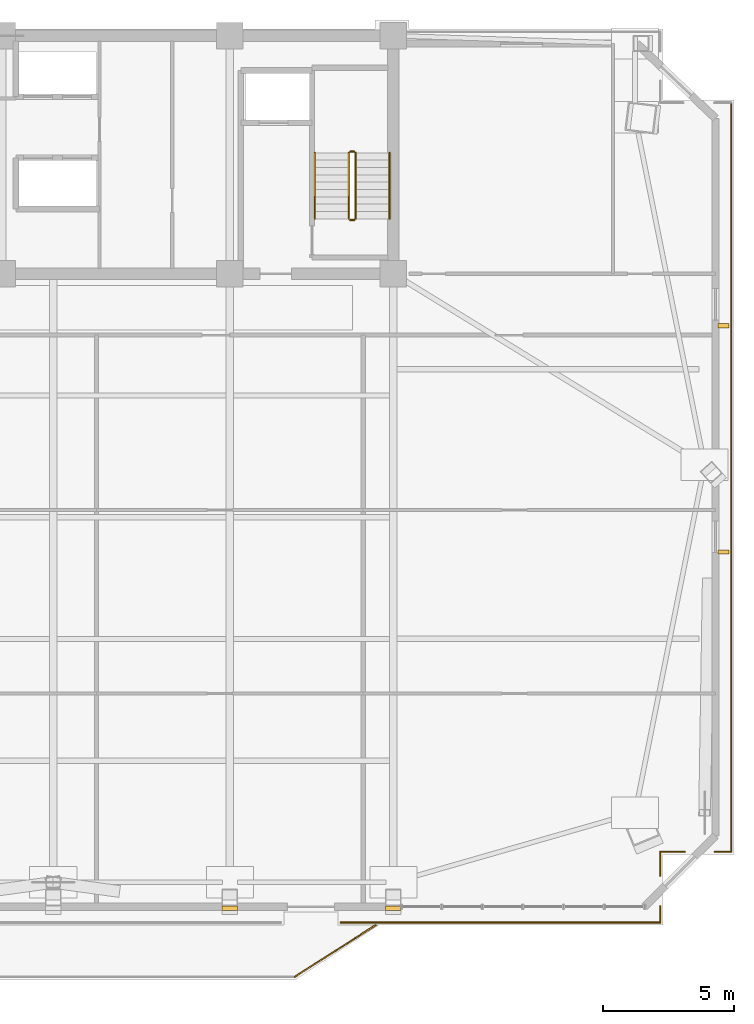
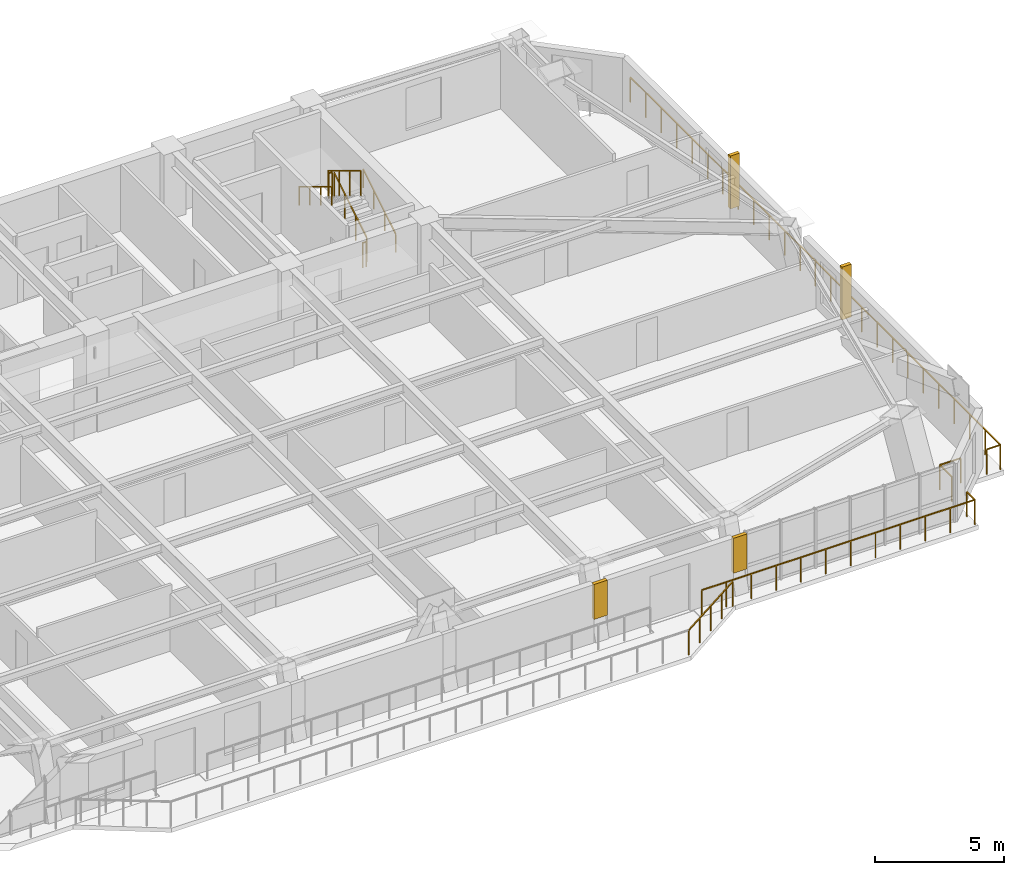
# One storey, part 15 of 16: 13 railings, 2 coverings, 2 shading devices.
"""IFC4 building model written with IfcOpenShell, lengths in metres."""

from ifc_helpers import new_model, si_unit, direction, frame, origin, origin_2d, place, context, subcontext, project, spatial, polyline, rectangle, outline, extrude, source, transform, mapped, material, layer, layer_set, type_object, element, save


model = new_model("IFC4")

# Units and contexts
model_context = context("Model", 3, precision=1e-05, world=origin(), true_north=direction((0.0, 1.0)))
body_context = subcontext(model_context, "Body", "Model", "MODEL_VIEW")
ifc_project = project(units=[si_unit("LENGTHUNIT", "METRE"), si_unit("AREAUNIT", "SQUARE_METRE"), si_unit("VOLUMEUNIT", "CUBIC_METRE"), si_unit("PLANEANGLEUNIT", "RADIAN"), si_unit("MASSUNIT", "GRAM", prefix="KILO")], contexts=[model_context])

# Site, building, storey
site_placement = place(None, origin())
site = spatial("IfcSite", under=ifc_project, at=site_placement, CompositionType="ELEMENT")
building_placement = place(site_placement, origin())
building = spatial("IfcBuilding", under=site, at=building_placement, Name="Giltprow Tower", CompositionType="ELEMENT")
storey_placement = place(building_placement, frame((0.0, 0.0, 233.800048828125)))
storey = spatial("IfcBuildingStorey", under=building, at=storey_placement, Name="L59", CompositionType="ELEMENT", Elevation=233.800048828125)

# Coverings
ifc_material = material(Name="Anodized bronze", Category="metal")
ifc_layer = layer(ifc_material, 0.0400390625, Name="Anodized bronze")
ifc_layer_set = layer_set([ifc_layer], Name="Anodized bronze")
covering_type = type_object("IfcCoveringType", Name="COV-SOFFIT-BRONZE", PredefinedType="CLADDING", material=ifc_layer_set)
covering_1_placement = place(storey_placement, frame((0.0, 0.0, 1.099853515625)))
element("IfcCovering", 1, at=covering_1_placement, inside=storey, type_object=covering_type, Name="L59 Setback Pier Closure Cladding S-4", PredefinedType="CLADDING", context=body_context, shape_type="SweptSolid", body=[
    extrude(outline(polyline([(44.0, 13.110107421875), (44.60009765625, 13.110107421875), (44.60009765625, 13.27001953125), (44.0, 13.27001953125), (44.0, 13.110107421875)])), origin(), (0.0, 0.0, 1.0), 1.650146484375),
])
covering_2_placement = place(storey_placement, frame((0.0, 0.0, 1.099853515625)))
element("IfcCovering", 2, at=covering_2_placement, inside=storey, type_object=covering_type, Name="L59 Setback Pier Closure Cladding S-5", PredefinedType="CLADDING", context=body_context, shape_type="SweptSolid", body=[
    extrude(outline(polyline([(50.25, 13.110107421875), (50.85009765625, 13.110107421875), (50.85009765625, 13.27001953125), (50.25, 13.27001953125), (50.25, 13.110107421875)])), origin(), (0.0, 0.0, 1.0), 1.650146484375),
])

# Railings
railing_type_1 = type_object("IfcRailingType", Name="RAIL-BALC-GUARD-1200", PredefinedType="BALUSTRADE", material=ifc_material)
railing_1_placement = place(storey_placement, frame((46.780029296875, 10.570068359375, 0.0)))
element("IfcRailing", 3, at=railing_1_placement, inside=storey, type_object=railing_type_1, Name="L59 Waterfront Balcony Balustrade Seg 3", PredefinedType="BALUSTRADE", context=body_context, shape_type="SweptSolid", body=[
    extrude(rectangle(XDim=0.048095703125, YDim=0.048095703125, at=origin_2d()), frame((0.0, 0.0, 1.17578125), z_axis=(0.842755646126, 0.538296313309, 0.0), x_axis=(-0.538296313309, 0.842755646126, 0.0)), (0.0, 0.0, 1.0), 3.67822265625),
    extrude(rectangle(XDim=0.0419921875, YDim=0.0419921875, at=origin_2d()), origin(), (0.0, 0.0, 1.0), 1.15185546875),
    extrude(rectangle(XDim=0.0419921875, YDim=0.0419921875, at=origin_2d()), frame((0.77490234375, 0.4951171875, 0.0)), (0.0, 0.0, 1.0), 1.15185546875),
    extrude(rectangle(XDim=0.0419921875, YDim=0.0419921875, at=origin_2d()), frame((1.5498046875, 0.989990234375, 0.0)), (0.0, 0.0, 1.0), 1.15185546875),
    extrude(rectangle(XDim=0.0419921875, YDim=0.0419921875, at=origin_2d()), frame((2.324951171875, 1.48486328125, 0.0)), (0.0, 0.0, 1.0), 1.15185546875),
    extrude(rectangle(XDim=0.0419921875, YDim=0.0419921875, at=origin_2d()), frame((3.099853515625, 1.97998046875, 0.0)), (0.0, 0.0, 1.0), 1.15185546875),
])
railing_2_placement = place(storey_placement, frame((63.467041015625, 43.992919921875, 0.0)))
element("IfcRailing", 4, at=railing_2_placement, inside=storey, type_object=railing_type_1, Name="L59 Corner Apron Edge Balustrade 1", PredefinedType="BALUSTRADE", context=body_context, shape_type="SweptSolid", body=[
    extrude(rectangle(XDim=0.048095703125, YDim=0.048095703125, at=origin_2d()), frame((0.0, 0.0, 1.17578125), z_axis=(0.0, -1.0, 0.0), x_axis=(1.0, 0.0, 0.0)), (0.0, 0.0, 1.0), 28.635986328125),
    extrude(rectangle(XDim=0.0419921875, YDim=0.0419921875, at=origin_2d()), origin(), (0.0, 0.0, 1.0), 1.15185546875),
    extrude(rectangle(XDim=0.0419921875, YDim=0.0419921875, at=origin_2d()), frame((0.0, -1.193115234375, 0.0)), (0.0, 0.0, 1.0), 1.15185546875),
    extrude(rectangle(XDim=0.0419921875, YDim=0.0419921875, at=origin_2d()), frame((0.0, -2.38623046875, 0.0)), (0.0, 0.0, 1.0), 1.15185546875),
    extrude(rectangle(XDim=0.0419921875, YDim=0.0419921875, at=origin_2d()), frame((0.0, -3.57958984375, 0.0)), (0.0, 0.0, 1.0), 1.15185546875),
    extrude(rectangle(XDim=0.0419921875, YDim=0.0419921875, at=origin_2d()), frame((0.0, -4.772705078125, 0.0)), (0.0, 0.0, 1.0), 1.15185546875),
    extrude(rectangle(XDim=0.0419921875, YDim=0.0419921875, at=origin_2d()), frame((0.0, -5.9658203125, 0.0)), (0.0, 0.0, 1.0), 1.15185546875),
    extrude(rectangle(XDim=0.0419921875, YDim=0.0419921875, at=origin_2d()), frame((0.0, -7.158935546875, 0.0)), (0.0, 0.0, 1.0), 1.15185546875),
    extrude(rectangle(XDim=0.0419921875, YDim=0.0419921875, at=origin_2d()), frame((0.0, -8.35205078125, 0.0)), (0.0, 0.0, 1.0), 1.15185546875),
    extrude(rectangle(XDim=0.0419921875, YDim=0.0419921875, at=origin_2d()), frame((0.0, -9.54541015625, 0.0)), (0.0, 0.0, 1.0), 1.15185546875),
    extrude(rectangle(XDim=0.0419921875, YDim=0.0419921875, at=origin_2d()), frame((0.0, -10.738525390625, 0.0)), (0.0, 0.0, 1.0), 1.15185546875),
    extrude(rectangle(XDim=0.0419921875, YDim=0.0419921875, at=origin_2d()), frame((0.0, -11.931640625, 0.0)), (0.0, 0.0, 1.0), 1.15185546875),
    extrude(rectangle(XDim=0.0419921875, YDim=0.0419921875, at=origin_2d()), frame((0.0, -13.124755859375, 0.0)), (0.0, 0.0, 1.0), 1.15185546875),
    extrude(rectangle(XDim=0.0419921875, YDim=0.0419921875, at=origin_2d()), frame((0.0, -14.31787109375, 0.0)), (0.0, 0.0, 1.0), 1.15185546875),
    extrude(rectangle(XDim=0.0419921875, YDim=0.0419921875, at=origin_2d()), frame((0.0, -15.51123046875, 0.0)), (0.0, 0.0, 1.0), 1.15185546875),
    extrude(rectangle(XDim=0.0419921875, YDim=0.0419921875, at=origin_2d()), frame((0.0, -16.704345703125, 0.0)), (0.0, 0.0, 1.0), 1.15185546875),
    extrude(rectangle(XDim=0.0419921875, YDim=0.0419921875, at=origin_2d()), frame((0.0, -17.8974609375, 0.0)), (0.0, 0.0, 1.0), 1.15185546875),
    extrude(rectangle(XDim=0.0419921875, YDim=0.0419921875, at=origin_2d()), frame((0.0, -19.090576171875, 0.0)), (0.0, 0.0, 1.0), 1.15185546875),
    extrude(rectangle(XDim=0.0419921875, YDim=0.0419921875, at=origin_2d()), frame((0.0, -20.283935546875, 0.0)), (0.0, 0.0, 1.0), 1.15185546875),
    extrude(rectangle(XDim=0.0419921875, YDim=0.0419921875, at=origin_2d()), frame((0.0, -21.47705078125, 0.0)), (0.0, 0.0, 1.0), 1.15185546875),
    extrude(rectangle(XDim=0.0419921875, YDim=0.0419921875, at=origin_2d()), frame((0.0, -22.670166015625, 0.0)), (0.0, 0.0, 1.0), 1.15185546875),
    extrude(rectangle(XDim=0.0419921875, YDim=0.0419921875, at=origin_2d()), frame((0.0, -23.86328125, 0.0)), (0.0, 0.0, 1.0), 1.15185546875),
    extrude(rectangle(XDim=0.0419921875, YDim=0.0419921875, at=origin_2d()), frame((0.0, -25.056396484375, 0.0)), (0.0, 0.0, 1.0), 1.15185546875),
    extrude(rectangle(XDim=0.0419921875, YDim=0.0419921875, at=origin_2d()), frame((0.0, -26.249755859375, 0.0)), (0.0, 0.0, 1.0), 1.15185546875),
    extrude(rectangle(XDim=0.0419921875, YDim=0.0419921875, at=origin_2d()), frame((0.0, -27.44287109375, 0.0)), (0.0, 0.0, 1.0), 1.15185546875),
    extrude(rectangle(XDim=0.0419921875, YDim=0.0419921875, at=origin_2d()), frame((0.0, -28.635986328125, 0.0)), (0.0, 0.0, 1.0), 1.15185546875),
])
railing_3_placement = place(storey_placement, frame((63.467041015625, 15.35693359375, 0.0)))
element("IfcRailing", 5, at=railing_3_placement, inside=storey, type_object=railing_type_1, Name="L59 Corner Apron Edge Balustrade 2", PredefinedType="BALUSTRADE", context=body_context, shape_type="SweptSolid", body=[
    extrude(rectangle(XDim=0.048095703125, YDim=0.048095703125, at=origin_2d()), frame((0.0, 0.0, 1.17578125), z_axis=(-1.0, 0.0, 0.0), x_axis=(0.0, -1.0, 0.0)), (0.0, 0.0, 1.0), 0.6201171875),
    extrude(rectangle(XDim=0.0419921875, YDim=0.0419921875, at=origin_2d()), origin(), (0.0, 0.0, 1.0), 1.15185546875),
    extrude(rectangle(XDim=0.0419921875, YDim=0.0419921875, at=origin_2d()), frame((-0.6201171875, 0.0, 0.0)), (0.0, 0.0, 1.0), 1.15185546875),
])
railing_4_placement = place(storey_placement, frame((61.68701171875, 15.35693359375, 0.0)))
element("IfcRailing", 6, at=railing_4_placement, inside=storey, type_object=railing_type_1, Name="L59 Corner Apron Edge Balustrade 3", PredefinedType="BALUSTRADE", context=body_context, shape_type="SweptSolid", body=[
    extrude(rectangle(XDim=0.048095703125, YDim=0.048095703125, at=origin_2d()), frame((0.0, 0.0, 1.17578125), z_axis=(-1.0, 0.0, 0.0), x_axis=(0.0, -1.0, 0.0)), (0.0, 0.0, 1.0), 0.927001953125),
    extrude(rectangle(XDim=0.0419921875, YDim=0.0419921875, at=origin_2d()), origin(), (0.0, 0.0, 1.0), 1.15185546875),
    extrude(rectangle(XDim=0.0419921875, YDim=0.0419921875, at=origin_2d()), frame((-0.927001953125, 0.0, 0.0)), (0.0, 0.0, 1.0), 1.15185546875),
])
railing_5_placement = place(storey_placement, frame((60.760009765625, 15.35693359375, 0.0)))
element("IfcRailing", 7, at=railing_5_placement, inside=storey, type_object=railing_type_1, Name="L59 Corner Apron Edge Balustrade 4", PredefinedType="BALUSTRADE", context=body_context, shape_type="SweptSolid", body=[
    extrude(rectangle(XDim=0.048095703125, YDim=0.048095703125, at=origin_2d()), frame((0.0, 0.0, 1.17578125), z_axis=(0.0, -1.0, 0.0), x_axis=(1.0, 0.0, 0.0)), (0.0, 0.0, 1.0), 0.927001953125),
    extrude(rectangle(XDim=0.0419921875, YDim=0.0419921875, at=origin_2d()), origin(), (0.0, 0.0, 1.0), 1.15185546875),
    extrude(rectangle(XDim=0.0419921875, YDim=0.0419921875, at=origin_2d()), frame((0.0, -0.927001953125, 0.0)), (0.0, 0.0, 1.0), 1.15185546875),
])
railing_6_placement = place(storey_placement, frame((60.760009765625, 13.27001953125, 0.0)))
element("IfcRailing", 8, at=railing_6_placement, inside=storey, type_object=railing_type_1, Name="L59 Corner Apron Edge Balustrade 5", PredefinedType="BALUSTRADE", context=body_context, shape_type="SweptSolid", body=[
    extrude(rectangle(XDim=0.048095703125, YDim=0.048095703125, at=origin_2d()), frame((0.0, 0.0, 1.17578125), z_axis=(0.0, -1.0, 0.0), x_axis=(1.0, 0.0, 0.0)), (0.0, 0.0, 1.0), 0.6201171875),
    extrude(rectangle(XDim=0.0419921875, YDim=0.0419921875, at=origin_2d()), origin(), (0.0, 0.0, 1.0), 1.15185546875),
    extrude(rectangle(XDim=0.0419921875, YDim=0.0419921875, at=origin_2d()), frame((0.0, -0.6201171875, 0.0)), (0.0, 0.0, 1.0), 1.15185546875),
])
railing_7_placement = place(storey_placement, frame((60.760009765625, 12.64990234375, 0.0)))
element("IfcRailing", 9, at=railing_7_placement, inside=storey, type_object=railing_type_1, Name="L59 Corner Apron Edge Balustrade 6", PredefinedType="BALUSTRADE", context=body_context, shape_type="SweptSolid", body=[
    extrude(rectangle(XDim=0.048095703125, YDim=0.048095703125, at=origin_2d()), frame((0.0, 0.0, 1.17578125), z_axis=(-1.0, 0.0, 0.0), x_axis=(0.0, -1.0, 0.0)), (0.0, 0.0, 1.0), 12.2099609375),
    extrude(rectangle(XDim=0.0419921875, YDim=0.0419921875, at=origin_2d()), origin(), (0.0, 0.0, 1.0), 1.15185546875),
    extrude(rectangle(XDim=0.0419921875, YDim=0.0419921875, at=origin_2d()), frame((-1.110107421875, 0.0, 0.0)), (0.0, 0.0, 1.0), 1.15185546875),
    extrude(rectangle(XDim=0.0419921875, YDim=0.0419921875, at=origin_2d()), frame((-2.219970703125, 0.0, 0.0)), (0.0, 0.0, 1.0), 1.15185546875),
    extrude(rectangle(XDim=0.0419921875, YDim=0.0419921875, at=origin_2d()), frame((-3.330078125, 0.0, 0.0)), (0.0, 0.0, 1.0), 1.15185546875),
    extrude(rectangle(XDim=0.0419921875, YDim=0.0419921875, at=origin_2d()), frame((-4.43994140625, 0.0, 0.0)), (0.0, 0.0, 1.0), 1.15185546875),
    extrude(rectangle(XDim=0.0419921875, YDim=0.0419921875, at=origin_2d()), frame((-5.550048828125, 0.0, 0.0)), (0.0, 0.0, 1.0), 1.15185546875),
    extrude(rectangle(XDim=0.0419921875, YDim=0.0419921875, at=origin_2d()), frame((-6.659912109375, 0.0, 0.0)), (0.0, 0.0, 1.0), 1.15185546875),
    extrude(rectangle(XDim=0.0419921875, YDim=0.0419921875, at=origin_2d()), frame((-7.77001953125, 0.0, 0.0)), (0.0, 0.0, 1.0), 1.15185546875),
    extrude(rectangle(XDim=0.0419921875, YDim=0.0419921875, at=origin_2d()), frame((-8.8798828125, 0.0, 0.0)), (0.0, 0.0, 1.0), 1.15185546875),
    extrude(rectangle(XDim=0.0419921875, YDim=0.0419921875, at=origin_2d()), frame((-9.989990234375, 0.0, 0.0)), (0.0, 0.0, 1.0), 1.15185546875),
    extrude(rectangle(XDim=0.0419921875, YDim=0.0419921875, at=origin_2d()), frame((-11.099853515625, 0.0, 0.0)), (0.0, 0.0, 1.0), 1.15185546875),
    extrude(rectangle(XDim=0.0419921875, YDim=0.0419921875, at=origin_2d()), frame((-12.2099609375, 0.0, 0.0)), (0.0, 0.0, 1.0), 1.15185546875),
])
railing_type_2 = type_object("IfcRailingType", Name="RAIL-STAIR-GUARD-1200", PredefinedType="GUARDRAIL", material=ifc_material)
railing_8_placement = place(storey_placement, frame((49.110107421875, 39.550048828125, 0.169921875)))
element("IfcRailing", 10, at=railing_8_placement, inside=storey, type_object=railing_type_2, Name="L59 ST-3 stair guard 1", PredefinedType="GUARDRAIL", context=body_context, shape_type="SweptSolid", body=[
    extrude(rectangle(XDim=0.048095703125, YDim=0.048095703125, at=origin_2d()), frame((0.0, 0.0, 1.17578125), z_axis=(0.0, 0.85478489116, 0.518982456201), x_axis=(-1.0, 0.0, 0.0)), (0.0, 0.0, 1.0), 2.9482421875),
    extrude(rectangle(XDim=0.0419921875, YDim=0.0419921875, at=origin_2d()), origin(), (0.0, 0.0, 1.0), 1.15185546875),
    extrude(rectangle(XDim=0.0419921875, YDim=0.0419921875, at=origin_2d()), frame((0.0, 0.840087890625, 0.510009765625)), (0.0, 0.0, 1.0), 1.15185546875),
    extrude(rectangle(XDim=0.0419921875, YDim=0.0419921875, at=origin_2d()), frame((0.0, 1.679931640625, 1.02001953125)), (0.0, 0.0, 1.0), 1.15185546875),
    extrude(rectangle(XDim=0.0419921875, YDim=0.0419921875, at=origin_2d()), frame((0.0, 2.52001953125, 1.530029296875)), (0.0, 0.0, 1.0), 1.15185546875),
])
railing_9_placement = place(storey_placement, frame((49.06005859375, 42.1201171875, 1.699951171875)))
element("IfcRailing", 11, at=railing_9_placement, inside=storey, type_object=railing_type_2, Name="L59 ST-3 stair guard 2", PredefinedType="GUARDRAIL", context=body_context, shape_type="SweptSolid", body=[
    extrude(rectangle(XDim=0.048095703125, YDim=0.048095703125, at=origin_2d()), frame((0.0, 0.0, 1.17578125), z_axis=(-1.0, 0.0, 0.0), x_axis=(0.0, -1.0, 0.0)), (0.0, 0.0, 1.0), 0.16015625),
    extrude(rectangle(XDim=0.0419921875, YDim=0.0419921875, at=origin_2d()), origin(), (0.0, 0.0, 1.0), 1.15185546875),
    extrude(rectangle(XDim=0.0419921875, YDim=0.0419921875, at=origin_2d()), frame((-0.16015625, 0.0, 0.0)), (0.0, 0.0, 1.0), 1.15185546875),
])
railing_10_placement = place(storey_placement, frame((48.85009765625, 42.070068359375, 1.869873046875)))
element("IfcRailing", 12, at=railing_10_placement, inside=storey, type_object=railing_type_2, Name="L59 ST-3 stair guard 3", PredefinedType="GUARDRAIL", context=body_context, shape_type="SweptSolid", body=[
    extrude(rectangle(XDim=0.048095703125, YDim=0.048095703125, at=origin_2d()), frame((0.0, 0.0, 1.17578125), z_axis=(0.0, -0.85478489116, 0.518982456201), x_axis=(1.0, 0.0, 0.0)), (0.0, 0.0, 1.0), 2.9482421875),
    extrude(rectangle(XDim=0.0419921875, YDim=0.0419921875, at=origin_2d()), origin(), (0.0, 0.0, 1.0), 1.15185546875),
    extrude(rectangle(XDim=0.0419921875, YDim=0.0419921875, at=origin_2d()), frame((0.0, -0.840087890625, 0.510009765625)), (0.0, 0.0, 1.0), 1.15185546875),
    extrude(rectangle(XDim=0.0419921875, YDim=0.0419921875, at=origin_2d()), frame((0.0, -1.679931640625, 1.02001953125)), (0.0, 0.0, 1.0), 1.15185546875),
    extrude(rectangle(XDim=0.0419921875, YDim=0.0419921875, at=origin_2d()), frame((0.0, -2.52001953125, 1.530029296875)), (0.0, 0.0, 1.0), 1.15185546875),
])
railing_11_placement = place(storey_placement, frame((49.06005859375, 39.5, 0.0)))
element("IfcRailing", 13, at=railing_11_placement, inside=storey, type_object=railing_type_2, Name="L59 ST-3 stair guard 4", PredefinedType="GUARDRAIL", context=body_context, shape_type="SweptSolid", body=[
    extrude(rectangle(XDim=0.048095703125, YDim=0.048095703125, at=origin_2d()), frame((0.0, 0.0, 1.17578125), z_axis=(-1.0, 0.0, 0.0), x_axis=(0.0, -1.0, 0.0)), (0.0, 0.0, 1.0), 0.16015625),
    extrude(rectangle(XDim=0.0419921875, YDim=0.0419921875, at=origin_2d()), origin(), (0.0, 0.0, 1.0), 1.15185546875),
    extrude(rectangle(XDim=0.0419921875, YDim=0.0419921875, at=origin_2d()), frame((-0.16015625, 0.0, 0.0)), (0.0, 0.0, 1.0), 1.15185546875),
])
railing_type_3 = type_object("IfcRailingType", Name="RAIL-STAIR-HAND-900", PredefinedType="HANDRAIL", material=ifc_material)
railing_12_placement = place(storey_placement, frame((50.409912109375, 39.550048828125, 0.169921875)))
element("IfcRailing", 14, at=railing_12_placement, inside=storey, type_object=railing_type_3, Name="L59 ST-3 stair handrail 1", PredefinedType="HANDRAIL", context=body_context, shape_type="SweptSolid", body=[
    extrude(rectangle(XDim=0.048095703125, YDim=0.048095703125, at=origin_2d()), frame((0.0, 0.0, 0.8759765625), z_axis=(0.0, 0.85478489116, 0.518982456201), x_axis=(-1.0, 0.0, 0.0)), (0.0, 0.0, 1.0), 2.9482421875),
    extrude(rectangle(XDim=0.0419921875, YDim=0.0419921875, at=origin_2d()), origin(), (0.0, 0.0, 1.0), 0.851806640625),
    extrude(rectangle(XDim=0.0419921875, YDim=0.0419921875, at=origin_2d()), frame((0.0, 0.840087890625, 0.510009765625)), (0.0, 0.0, 1.0), 0.851806640625),
    extrude(rectangle(XDim=0.0419921875, YDim=0.0419921875, at=origin_2d()), frame((0.0, 1.679931640625, 1.02001953125)), (0.0, 0.0, 1.0), 0.851806640625),
    extrude(rectangle(XDim=0.0419921875, YDim=0.0419921875, at=origin_2d()), frame((0.0, 2.52001953125, 1.530029296875)), (0.0, 0.0, 1.0), 0.851806640625),
])
railing_13_placement = place(storey_placement, frame((47.550048828125, 42.070068359375, 1.869873046875)))
element("IfcRailing", 15, at=railing_13_placement, inside=storey, type_object=railing_type_3, Name="L59 ST-3 stair handrail 2", PredefinedType="HANDRAIL", context=body_context, shape_type="SweptSolid", body=[
    extrude(rectangle(XDim=0.048095703125, YDim=0.048095703125, at=origin_2d()), frame((0.0, 0.0, 0.8759765625), z_axis=(0.0, -0.85478489116, 0.518982456201), x_axis=(1.0, 0.0, 0.0)), (0.0, 0.0, 1.0), 2.9482421875),
    extrude(rectangle(XDim=0.0419921875, YDim=0.0419921875, at=origin_2d()), origin(), (0.0, 0.0, 1.0), 0.851806640625),
    extrude(rectangle(XDim=0.0419921875, YDim=0.0419921875, at=origin_2d()), frame((0.0, -0.840087890625, 0.510009765625)), (0.0, 0.0, 1.0), 0.851806640625),
    extrude(rectangle(XDim=0.0419921875, YDim=0.0419921875, at=origin_2d()), frame((0.0, -1.679931640625, 1.02001953125)), (0.0, 0.0, 1.0), 0.851806640625),
    extrude(rectangle(XDim=0.0419921875, YDim=0.0419921875, at=origin_2d()), frame((0.0, -2.52001953125, 1.530029296875)), (0.0, 0.0, 1.0), 0.851806640625),
])

# Shading devices
shading_device_type = type_object("IfcShadingDeviceType", Name="SHD-FIN-420", PredefinedType="USERDEFINED", material=ifc_material)
shared_shape = source(origin(), body_context, "Body", "SweptSolid", [
    extrude(rectangle(XDim=0.419921875, YDim=0.159912109375, at=origin_2d()), origin(), (0.0, 0.0, 1.0), 2.5),
])
for number, where, z_axis, x_axis, name in (
    (16, (63.1669921875, 26.81396484375, 0.349853515625), (0.0, 0.0, 1.0), (1.0, 0.0, 0.0), "L59 E Bronze Vertical Fin 1-1"),
    (17, (63.1669921875, 35.464111328125, 0.349853515625), (0.0, 0.0, 1.0), (1.0, 0.0, 0.0), "L59 E Bronze Vertical Fin 2-1"),
):
    element("IfcShadingDevice", number, at=place(storey_placement, frame(where, z_axis=z_axis, x_axis=x_axis)), inside=storey, type_object=shading_device_type, Name=name, ObjectType="FIN", PredefinedType="USERDEFINED", context=body_context, shape_type="MappedRepresentation", body=[
        mapped(shared_shape, transform((0.0, 0.0, 0.0), x_axis=(1.0, 0.0, 0.0), y_axis=(0.0, 1.0, 0.0), z_axis=(0.0, 0.0, 1.0), scale=1.0)),
    ])

save(model, "model.ifc")
